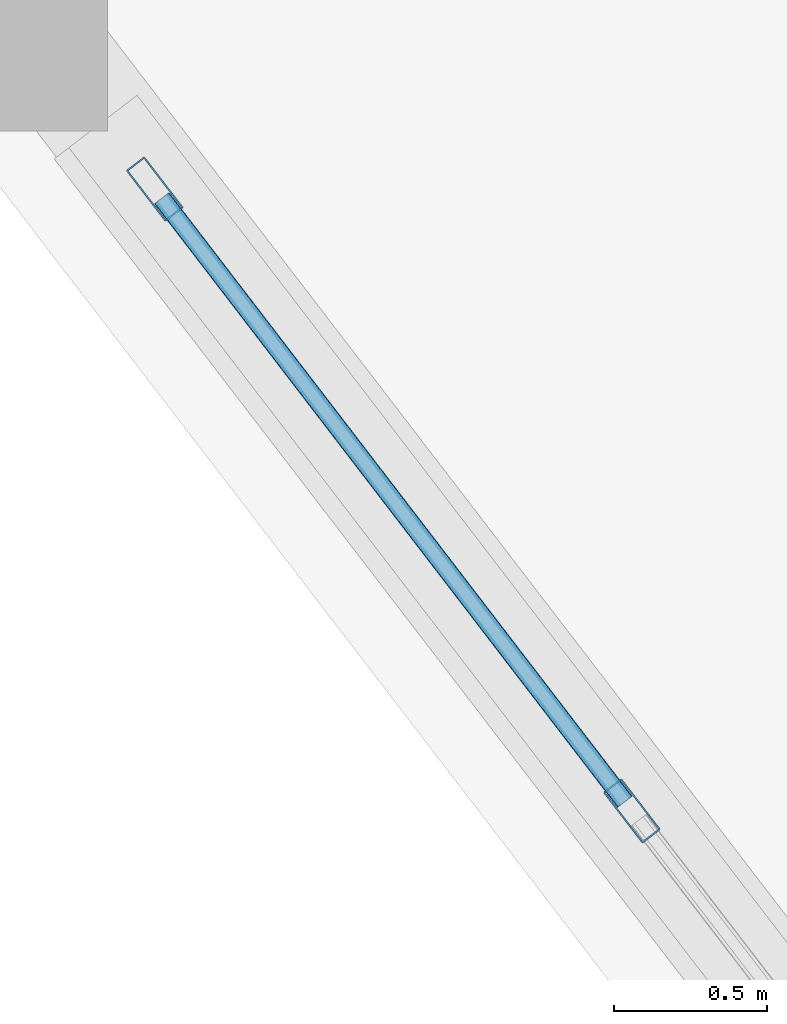
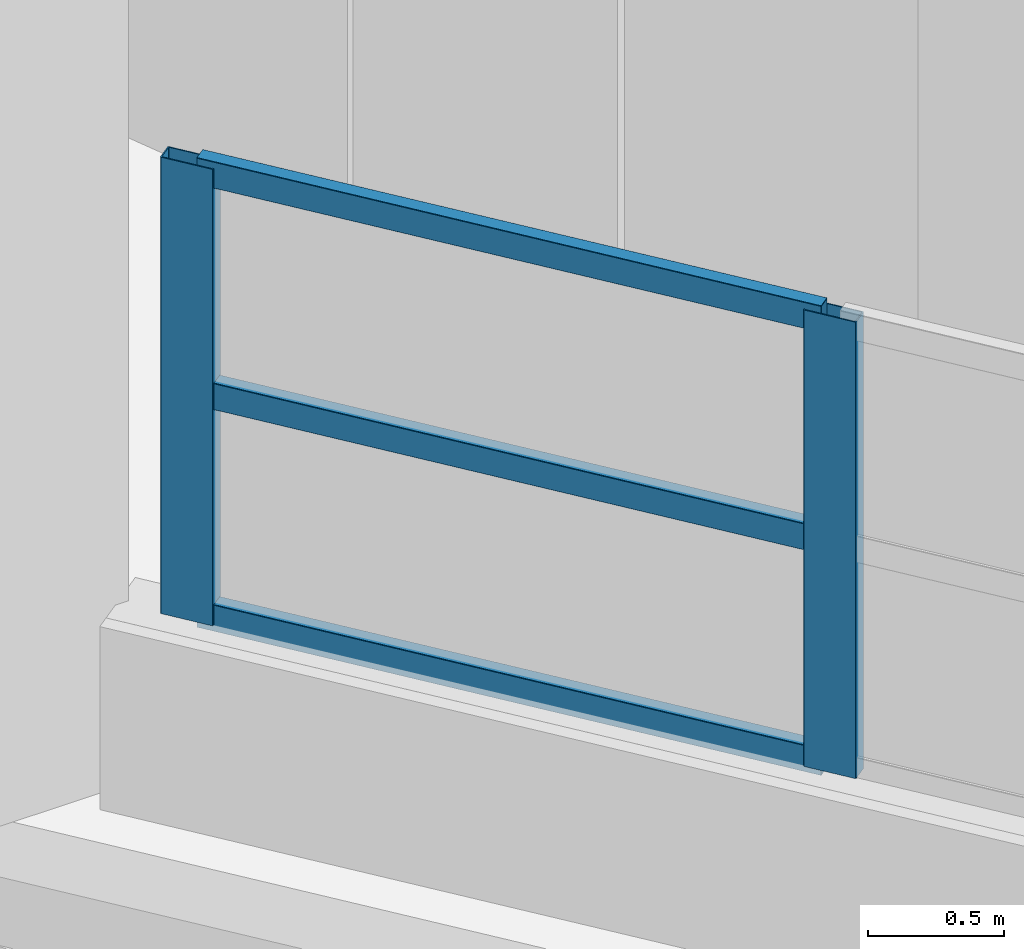
# One storey, part 2 of 53: 5 members, 1 element without a shape of its own.
"""IFC4 building model written with IfcOpenShell, lengths in metres."""

from ifc_helpers import new_model, si_unit, direction, frame, origin, origin_2d, place, context, subcontext, project, spatial, hollow_rectangle, extrude, material, layer, layer_set, material_profile, profile_set, type_object, element, aggregate, save


model = new_model("IFC4")

# Units and contexts
model_context = context("Model", 3, precision=1e-05, world=origin(), true_north=direction((0.0, 1.0)))
body_context = subcontext(model_context, "Body", "Model", "MODEL_VIEW")
ifc_project = project(units=[si_unit("LENGTHUNIT", "METRE"), si_unit("AREAUNIT", "SQUARE_METRE"), si_unit("VOLUMEUNIT", "CUBIC_METRE"), si_unit("PLANEANGLEUNIT", "RADIAN"), si_unit("MASSUNIT", "GRAM", prefix="KILO")], contexts=[model_context])

# Site, building, storey
site_placement = place(None, origin())
site = spatial("IfcSite", under=ifc_project, at=site_placement, CompositionType="ELEMENT")
building_placement = place(site_placement, origin())
building = spatial("IfcBuilding", under=site, at=building_placement, Name="Vespera Passage Community Centre", CompositionType="ELEMENT")
storey_placement = place(building_placement, frame((0.0, 0.0, 20.39990234375)))
storey = spatial("IfcBuildingStorey", under=building, at=storey_placement, Name="L05", CompositionType="ELEMENT", Elevation=20.39990234375)

# Curtain wall, members
ifc_material_1 = material(Name="Anodized aluminium 6063-T6", Category="aluminium")
ifc_layer = layer(ifc_material_1, 0.159912109375)
ifc_layer_set = layer_set([ifc_layer], Name="Anodized aluminium 6063-T6")
curtain_wall_type = type_object("IfcCurtainWallType", Name="CW-77E", PredefinedType="NOTDEFINED", material=ifc_layer_set)
curtain_wall_placement = place(storey_placement, origin())
curtain_wall = element("IfcCurtainWall", 1, at=curtain_wall_placement, inside=storey, type_object=curtain_wall_type, Name="V4 L05 Outer Ribbon Curtain Wall 14", PredefinedType="NOTDEFINED")
ifc_material_2 = material(Name="Anodized aluminium 6063-T6", Category="aluminium")
ifc_material_profile_1 = material_profile(ifc_material_2, hollow_rectangle(XDim=0.074951171875, YDim=0.2099609375, WallThickness=0.0048828125, InnerFilletRadius=0.00244140625, OuterFilletRadius=0.0048828125, at=origin_2d()), Name="ALU210X75X5")
ifc_profile_set_1 = profile_set([ifc_material_profile_1], Name="Anodized aluminium 6063-T6")
member_type_1 = type_object("IfcMemberType", Name="MB-CWM-210E", PredefinedType="MULLION", material=ifc_profile_set_1)
member_1_placement = place(storey_placement, frame((40.16064453125, 39.7333984375, 0.820068359375), z_axis=(0.0, 0.0, 1.0), x_axis=(-0.793350257139, -0.608765447029, 0.0)))
member_1 = element("IfcMember", 2, at=member_1_placement, type_object=member_type_1, Name="CW-77E mullion 4", PredefinedType="MULLION", context=body_context, shape_type="SweptSolid", body=[
    extrude(hollow_rectangle(XDim=0.074951171875, YDim=0.2099609375, WallThickness=0.0048828125, InnerFilletRadius=0.00244140625, OuterFilletRadius=0.0048828125, at=origin_2d()), origin(), (0.0, 0.0, 1.0), 2.0458984375),
])
member_2_placement = place(storey_placement, frame((38.60498046875, 41.760986328125, 0.820068359375), z_axis=(0.0, 0.0, 1.0), x_axis=(-0.793350257139, -0.608765447029, 0.0)))
member_2 = element("IfcMember", 3, at=member_2_placement, type_object=member_type_1, Name="CW-77E mullion 5", PredefinedType="MULLION", context=body_context, shape_type="SweptSolid", body=[
    extrude(hollow_rectangle(XDim=0.074951171875, YDim=0.2099609375, WallThickness=0.0048828125, InnerFilletRadius=0.00244140625, OuterFilletRadius=0.0048828125, at=origin_2d()), origin(), (0.0, 0.0, 1.0), 2.0458984375),
])
ifc_material_3 = material(Name="Anodized aluminium 6063-T6", Category="aluminium")
ifc_material_profile_2 = material_profile(ifc_material_3, hollow_rectangle(XDim=0.06005859375, YDim=0.1201171875, WallThickness=0.00390625, InnerFilletRadius=0.001953125, OuterFilletRadius=0.00390625, at=origin_2d()), Name="ALU120X60X4")
ifc_profile_set_2 = profile_set([ifc_material_profile_2], Name="Anodized aluminium 6063-T6")
member_type_2 = type_object("IfcMemberType", Name="MB-CWT-120E", PredefinedType="USERDEFINED", material=ifc_profile_set_2)
member_3_placement = place(storey_placement, frame((40.137939453125, 39.76318359375, 0.85009765625), z_axis=(-0.608797179099, 0.793325907002, 0.0), x_axis=(-0.793325907002, -0.608797179099, 0.0)))
member_3 = element("IfcMember", 4, at=member_3_placement, type_object=member_type_2, Name="CW-77E transom 4.1", ObjectType="TRANSOM", PredefinedType="USERDEFINED", context=body_context, shape_type="SweptSolid", body=[
    extrude(hollow_rectangle(XDim=0.06005859375, YDim=0.1201171875, WallThickness=0.00390625, InnerFilletRadius=0.001953125, OuterFilletRadius=0.00390625, at=origin_2d()), origin(), (0.0, 0.0, 1.0), 2.480712890625),
])
member_4_placement = place(storey_placement, frame((40.137939453125, 39.76318359375, 1.843017578125), z_axis=(-0.608797179099, 0.793325907002, 0.0), x_axis=(-0.793325907002, -0.608797179099, 0.0)))
member_4 = element("IfcMember", 5, at=member_4_placement, type_object=member_type_2, Name="CW-77E transom 4.2", ObjectType="TRANSOM", PredefinedType="USERDEFINED", context=body_context, shape_type="SweptSolid", body=[
    extrude(hollow_rectangle(XDim=0.06005859375, YDim=0.1201171875, WallThickness=0.00390625, InnerFilletRadius=0.001953125, OuterFilletRadius=0.00390625, at=origin_2d()), origin(), (0.0, 0.0, 1.0), 2.480712890625),
])
member_5_placement = place(storey_placement, frame((40.137939453125, 39.76318359375, 2.8359375), z_axis=(-0.608797179099, 0.793325907002, 0.0), x_axis=(-0.793325907002, -0.608797179099, 0.0)))
member_5 = element("IfcMember", 6, at=member_5_placement, type_object=member_type_2, Name="CW-77E transom 4.3", ObjectType="TRANSOM", PredefinedType="USERDEFINED", context=body_context, shape_type="SweptSolid", body=[
    extrude(hollow_rectangle(XDim=0.06005859375, YDim=0.1201171875, WallThickness=0.00390625, InnerFilletRadius=0.001953125, OuterFilletRadius=0.00390625, at=origin_2d()), origin(), (0.0, 0.0, 1.0), 2.480712890625),
])
aggregate(curtain_wall, [member_1, member_2, member_3, member_4, member_5])

save(model, "model.ifc")
